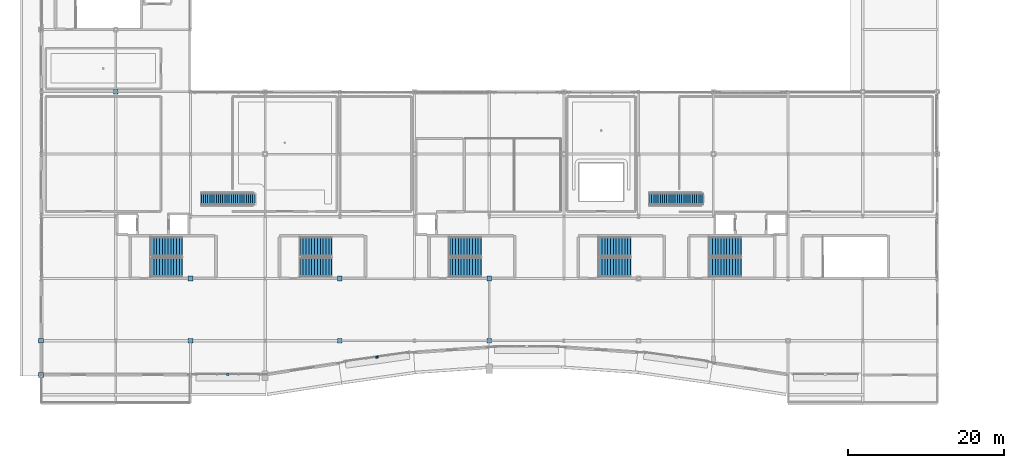
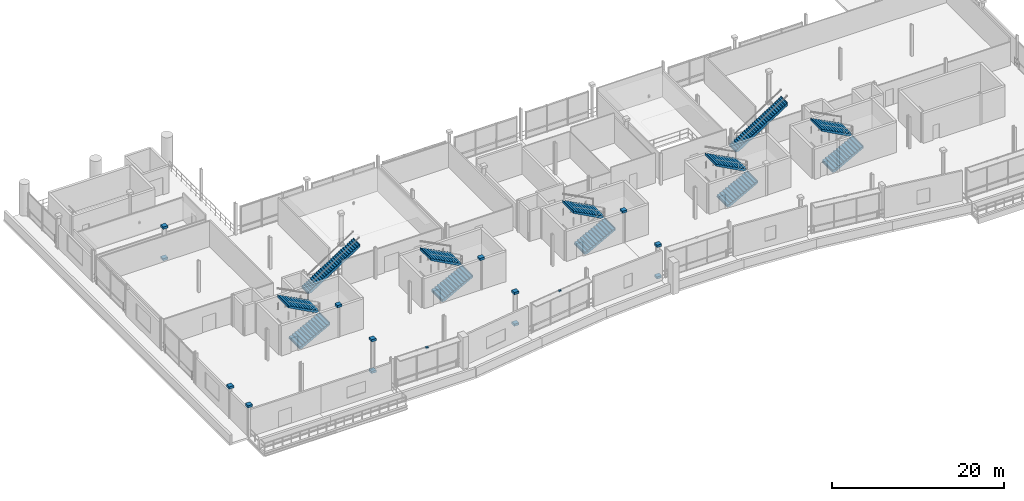
# One storey, part 42 of 59: 15 discrete accessories, 12 stair flights, 7 elements without a shape of their own.
"""IFC4 building model written with IfcOpenShell, lengths in metres."""

from ifc_helpers import new_model, si_unit, direction, frame, origin, origin_2d, place, context, subcontext, project, spatial, polyline, rectangle, outline, extrude, material, type_object, element, aggregate, save


model = new_model("IFC4")

# Units and contexts
model_context = context("Model", 3, precision=1e-05, world=origin(), true_north=direction((0.0, 1.0)))
body_context = subcontext(model_context, "Body", "Model", "MODEL_VIEW")
ifc_project = project(units=[si_unit("LENGTHUNIT", "METRE"), si_unit("AREAUNIT", "SQUARE_METRE"), si_unit("VOLUMEUNIT", "CUBIC_METRE"), si_unit("PLANEANGLEUNIT", "RADIAN"), si_unit("MASSUNIT", "GRAM", prefix="KILO")], contexts=[model_context])

# Site, building, storey
site_placement = place(None, origin())
site = spatial("IfcSite", under=ifc_project, at=site_placement, CompositionType="ELEMENT")
building_placement = place(site_placement, origin())
building = spatial("IfcBuilding", under=site, at=building_placement, Name="Danafjord Basin Convention Centre", CompositionType="ELEMENT")
storey_placement = place(building_placement, frame((0.0, 0.0, 15.89990234375)))
storey = spatial("IfcBuildingStorey", under=building, at=storey_placement, Name="L03", CompositionType="ELEMENT", Elevation=15.89990234375)

# Stair, stair flights
ifc_material_1 = material(Name="Concrete C40/50", Category="concrete")
stair_type_1 = type_object("IfcStairType", Name="STAIR-STR-C01", PredefinedType="TWO_STRAIGHT_RUN_STAIR", material=ifc_material_1)
stair_1_placement = place(storey_placement, origin())
stair_1 = element("IfcStair", 1, at=stair_1_placement, inside=storey, type_object=stair_type_1, Name="L03 West Harbour Core Stair 1", PredefinedType="HALF_TURN_STAIR")
ifc_material_2 = material(Name="Precast concrete C40/50", Category="concrete")
stair_flight_type = type_object("IfcStairFlightType", Name="SFLT-STD", PredefinedType="STRAIGHT", material=ifc_material_2)
stair_flight_1_placement = place(storey_placement, frame((14.1298828125, 17.4599609375, 0.0), z_axis=(0.0, 0.0, 1.0), x_axis=(1.0, 0.0, 0.0)))
stair_flight_1 = element("IfcStairFlight", 2, at=stair_flight_1_placement, type_object=stair_flight_type, Name="ST-01 flight 1", NumberOfRisers=12, NumberOfTreads=11, PredefinedType="STRAIGHT", RiserHeight=0.1875, TreadLength=0.365, context=body_context, shape_type="SweptSolid", body=[
    extrude(outline(polyline([(-0.06494140625, -0.14990234375), (-0.06494140625, -0.00390625), (0.0, -0.00390625), (0.0, 0.1875), (0.364990234375, 0.1875), (0.364990234375, 0.375), (0.72998046875, 0.375), (0.72998046875, 0.5625), (1.094970703125, 0.5625), (1.094970703125, 0.75), (1.4599609375, 0.75), (1.4599609375, 0.9375), (1.824951171875, 0.9375), (1.824951171875, 1.125), (2.18994140625, 1.125), (2.18994140625, 1.3125), (2.554931640625, 1.3125), (2.554931640625, 1.5), (2.919921875, 1.5), (2.919921875, 1.6875), (3.284912109375, 1.6875), (3.284912109375, 1.875), (3.64990234375, 1.875), (3.64990234375, 2.0625), (4.014892578125, 2.0625), (4.014892578125, 2.25), (4.080078125, 2.24609375), (4.080078125, 1.89404296875), (0.328125, -0.14990234375), (-0.06494140625, -0.14990234375)])), frame((0.0, 1.25, 0.0), z_axis=(0.0, -1.0, 0.0), x_axis=(1.0, 0.0, 0.0)), (0.0, 0.0, 1.0), 2.5),
])
stair_flight_2_placement = place(storey_placement, frame((18.14501953125, 20.10009765625, 2.25), z_axis=(0.0, 0.0, 1.0), x_axis=(-1.0, 0.0, 0.0)))
stair_flight_2 = element("IfcStairFlight", 3, at=stair_flight_2_placement, type_object=stair_flight_type, Name="ST-01 flight 2", NumberOfRisers=12, NumberOfTreads=11, PredefinedType="STRAIGHT", RiserHeight=0.1875, TreadLength=0.365, context=body_context, shape_type="SweptSolid", body=[
    extrude(outline(polyline([(-0.06494140625, -0.14990234375), (-0.06494140625, -0.00390625), (0.0, -0.00390625), (0.0, 0.1875), (0.364990234375, 0.1875), (0.364990234375, 0.375), (0.72998046875, 0.375), (0.72998046875, 0.5625), (1.094970703125, 0.5625), (1.094970703125, 0.75), (1.4599609375, 0.75), (1.4599609375, 0.9375), (1.824951171875, 0.9375), (1.824951171875, 1.125), (2.18994140625, 1.125), (2.18994140625, 1.3125), (2.554931640625, 1.3125), (2.554931640625, 1.5), (2.919921875, 1.5), (2.919921875, 1.6875), (3.284912109375, 1.6875), (3.284912109375, 1.875), (3.64990234375, 1.875), (3.64990234375, 2.0625), (4.014892578125, 2.0625), (4.014892578125, 2.25), (4.080078125, 2.24609375), (4.080078125, 1.89404296875), (0.328125, -0.14990234375), (-0.06494140625, -0.14990234375)])), frame((0.0, 1.25, 0.0), z_axis=(0.0, -1.0, 0.0), x_axis=(1.0, 0.0, 0.0)), (0.0, 0.0, 1.0), 2.5),
])
aggregate(stair_1, [stair_flight_1, stair_flight_2])

stair_2_placement = place(storey_placement, origin())
stair_2 = element("IfcStair", 4, at=stair_2_placement, inside=storey, type_object=stair_type_1, Name="L03 Central Harbour Core Stair 1", PredefinedType="HALF_TURN_STAIR")
stair_flight_3_placement = place(storey_placement, frame((85.929931640625, 17.4599609375, 0.0), z_axis=(0.0, 0.0, 1.0), x_axis=(1.0, 0.0, 0.0)))
stair_flight_3 = element("IfcStairFlight", 5, at=stair_flight_3_placement, type_object=stair_flight_type, Name="ST-03 flight 1", NumberOfRisers=12, NumberOfTreads=11, PredefinedType="STRAIGHT", RiserHeight=0.1875, TreadLength=0.365, context=body_context, shape_type="SweptSolid", body=[
    extrude(outline(polyline([(-0.06494140625, -0.14990234375), (-0.06494140625, -0.00390625), (0.0, -0.00390625), (0.0, 0.1875), (0.364990234375, 0.1875), (0.364990234375, 0.375), (0.72998046875, 0.375), (0.72998046875, 0.5625), (1.094970703125, 0.5625), (1.094970703125, 0.75), (1.4599609375, 0.75), (1.4599609375, 0.9375), (1.824951171875, 0.9375), (1.824951171875, 1.125), (2.18994140625, 1.125), (2.18994140625, 1.3125), (2.554931640625, 1.3125), (2.554931640625, 1.5), (2.919921875, 1.5), (2.919921875, 1.6875), (3.284912109375, 1.6875), (3.284912109375, 1.875), (3.64990234375, 1.875), (3.64990234375, 2.0625), (4.014892578125, 2.0625), (4.014892578125, 2.25), (4.080078125, 2.24609375), (4.080078125, 1.89404296875), (0.328125, -0.14990234375), (-0.06494140625, -0.14990234375)])), frame((0.0, 1.25, 0.0), z_axis=(0.0, -1.0, 0.0), x_axis=(1.0, 0.0, 0.0)), (0.0, 0.0, 1.0), 2.5),
])
stair_flight_4_placement = place(storey_placement, frame((89.945068359375, 20.10009765625, 2.25), z_axis=(0.0, 0.0, 1.0), x_axis=(-1.0, 0.0, 0.0)))
stair_flight_4 = element("IfcStairFlight", 6, at=stair_flight_4_placement, type_object=stair_flight_type, Name="ST-03 flight 2", NumberOfRisers=12, NumberOfTreads=11, PredefinedType="STRAIGHT", RiserHeight=0.1875, TreadLength=0.365, context=body_context, shape_type="SweptSolid", body=[
    extrude(outline(polyline([(-0.06494140625, -0.14990234375), (-0.06494140625, -0.00390625), (0.0, -0.00390625), (0.0, 0.1875), (0.364990234375, 0.1875), (0.364990234375, 0.375), (0.72998046875, 0.375), (0.72998046875, 0.5625), (1.094970703125, 0.5625), (1.094970703125, 0.75), (1.4599609375, 0.75), (1.4599609375, 0.9375), (1.824951171875, 0.9375), (1.824951171875, 1.125), (2.18994140625, 1.125), (2.18994140625, 1.3125), (2.554931640625, 1.3125), (2.554931640625, 1.5), (2.919921875, 1.5), (2.919921875, 1.6875), (3.284912109375, 1.6875), (3.284912109375, 1.875), (3.64990234375, 1.875), (3.64990234375, 2.0625), (4.014892578125, 2.0625), (4.014892578125, 2.25), (4.080078125, 2.24609375), (4.080078125, 1.89404296875), (0.328125, -0.14990234375), (-0.06494140625, -0.14990234375)])), frame((0.0, 1.25, 0.0), z_axis=(0.0, -1.0, 0.0), x_axis=(1.0, 0.0, 0.0)), (0.0, 0.0, 1.0), 2.5),
])
aggregate(stair_2, [stair_flight_3, stair_flight_4])

stair_3_placement = place(storey_placement, origin())
stair_3 = element("IfcStair", 7, at=stair_3_placement, inside=storey, type_object=stair_type_1, Name="L03 Mid-Arc Meeting Core Stair 1", PredefinedType="HALF_TURN_STAIR")
stair_flight_5_placement = place(storey_placement, frame((52.530029296875, 17.4599609375, 0.0), z_axis=(0.0, 0.0, 1.0), x_axis=(1.0, 0.0, 0.0)))
stair_flight_5 = element("IfcStairFlight", 8, at=stair_flight_5_placement, type_object=stair_flight_type, Name="ST-05 flight 1", NumberOfRisers=12, NumberOfTreads=11, PredefinedType="STRAIGHT", RiserHeight=0.1875, TreadLength=0.365, context=body_context, shape_type="SweptSolid", body=[
    extrude(outline(polyline([(-0.06494140625, -0.14990234375), (-0.06494140625, -0.00390625), (0.0, -0.00390625), (0.0, 0.1875), (0.364990234375, 0.1875), (0.364990234375, 0.375), (0.72998046875, 0.375), (0.72998046875, 0.5625), (1.094970703125, 0.5625), (1.094970703125, 0.75), (1.4599609375, 0.75), (1.4599609375, 0.9375), (1.824951171875, 0.9375), (1.824951171875, 1.125), (2.18994140625, 1.125), (2.18994140625, 1.3125), (2.554931640625, 1.3125), (2.554931640625, 1.5), (2.919921875, 1.5), (2.919921875, 1.6875), (3.284912109375, 1.6875), (3.284912109375, 1.875), (3.64990234375, 1.875), (3.64990234375, 2.0625), (4.014892578125, 2.0625), (4.014892578125, 2.25), (4.080078125, 2.24609375), (4.080078125, 1.89404296875), (0.328125, -0.14990234375), (-0.06494140625, -0.14990234375)])), frame((0.0, 1.25, 0.0), z_axis=(0.0, -1.0, 0.0), x_axis=(1.0, 0.0, 0.0)), (0.0, 0.0, 1.0), 2.5),
])
stair_flight_6_placement = place(storey_placement, frame((56.544921875, 20.10009765625, 2.25), z_axis=(0.0, 0.0, 1.0), x_axis=(-1.0, 0.0, 0.0)))
stair_flight_6 = element("IfcStairFlight", 9, at=stair_flight_6_placement, type_object=stair_flight_type, Name="ST-05 flight 2", NumberOfRisers=12, NumberOfTreads=11, PredefinedType="STRAIGHT", RiserHeight=0.1875, TreadLength=0.365, context=body_context, shape_type="SweptSolid", body=[
    extrude(outline(polyline([(-0.06494140625, -0.14990234375), (-0.06494140625, -0.00390625), (0.0, -0.00390625), (0.0, 0.1875), (0.364990234375, 0.1875), (0.364990234375, 0.375), (0.72998046875, 0.375), (0.72998046875, 0.5625), (1.094970703125, 0.5625), (1.094970703125, 0.75), (1.4599609375, 0.75), (1.4599609375, 0.9375), (1.824951171875, 0.9375), (1.824951171875, 1.125), (2.18994140625, 1.125), (2.18994140625, 1.3125), (2.554931640625, 1.3125), (2.554931640625, 1.5), (2.919921875, 1.5), (2.919921875, 1.6875), (3.284912109375, 1.6875), (3.284912109375, 1.875), (3.64990234375, 1.875), (3.64990234375, 2.0625), (4.014892578125, 2.0625), (4.014892578125, 2.25), (4.080078125, 2.24609375), (4.080078125, 1.89404296875), (0.328125, -0.14990234375), (-0.06494140625, -0.14990234375)])), frame((0.0, 1.25, 0.0), z_axis=(0.0, -1.0, 0.0), x_axis=(1.0, 0.0, 0.0)), (0.0, 0.0, 1.0), 2.5),
])
aggregate(stair_3, [stair_flight_5, stair_flight_6])

stair_4_placement = place(storey_placement, origin())
stair_4 = element("IfcStair", 10, at=stair_4_placement, inside=storey, type_object=stair_type_1, Name="L03 West Harbour Escape Stair 2", PredefinedType="HALF_TURN_STAIR")
stair_flight_7_placement = place(storey_placement, frame((33.330078125, 17.4599609375, 0.0), z_axis=(0.0, 0.0, 1.0), x_axis=(1.0, 0.0, 0.0)))
stair_flight_7 = element("IfcStairFlight", 11, at=stair_flight_7_placement, type_object=stair_flight_type, Name="ST-02 flight 1", NumberOfRisers=12, NumberOfTreads=11, PredefinedType="STRAIGHT", RiserHeight=0.1875, TreadLength=0.365, context=body_context, shape_type="SweptSolid", body=[
    extrude(outline(polyline([(-0.06494140625, -0.14990234375), (-0.06494140625, -0.00390625), (0.0, -0.00390625), (0.0, 0.1875), (0.364990234375, 0.1875), (0.364990234375, 0.375), (0.72998046875, 0.375), (0.72998046875, 0.5625), (1.094970703125, 0.5625), (1.094970703125, 0.75), (1.4599609375, 0.75), (1.4599609375, 0.9375), (1.824951171875, 0.9375), (1.824951171875, 1.125), (2.18994140625, 1.125), (2.18994140625, 1.3125), (2.554931640625, 1.3125), (2.554931640625, 1.5), (2.919921875, 1.5), (2.919921875, 1.6875), (3.284912109375, 1.6875), (3.284912109375, 1.875), (3.64990234375, 1.875), (3.64990234375, 2.0625), (4.014892578125, 2.0625), (4.014892578125, 2.25), (4.080078125, 2.24609375), (4.080078125, 1.89404296875), (0.328125, -0.14990234375), (-0.06494140625, -0.14990234375)])), frame((0.0, 1.25, 0.0), z_axis=(0.0, -1.0, 0.0), x_axis=(1.0, 0.0, 0.0)), (0.0, 0.0, 1.0), 2.5),
])
stair_flight_8_placement = place(storey_placement, frame((37.344970703125, 20.10009765625, 2.25), z_axis=(0.0, 0.0, 1.0), x_axis=(-1.0, 0.0, 0.0)))
stair_flight_8 = element("IfcStairFlight", 12, at=stair_flight_8_placement, type_object=stair_flight_type, Name="ST-02 flight 2", NumberOfRisers=12, NumberOfTreads=11, PredefinedType="STRAIGHT", RiserHeight=0.1875, TreadLength=0.365, context=body_context, shape_type="SweptSolid", body=[
    extrude(outline(polyline([(-0.06494140625, -0.14990234375), (-0.06494140625, -0.00390625), (0.0, -0.00390625), (0.0, 0.1875), (0.364990234375, 0.1875), (0.364990234375, 0.375), (0.72998046875, 0.375), (0.72998046875, 0.5625), (1.094970703125, 0.5625), (1.094970703125, 0.75), (1.4599609375, 0.75), (1.4599609375, 0.9375), (1.824951171875, 0.9375), (1.824951171875, 1.125), (2.18994140625, 1.125), (2.18994140625, 1.3125), (2.554931640625, 1.3125), (2.554931640625, 1.5), (2.919921875, 1.5), (2.919921875, 1.6875), (3.284912109375, 1.6875), (3.284912109375, 1.875), (3.64990234375, 1.875), (3.64990234375, 2.0625), (4.014892578125, 2.0625), (4.014892578125, 2.25), (4.080078125, 2.24609375), (4.080078125, 1.89404296875), (0.328125, -0.14990234375), (-0.06494140625, -0.14990234375)])), frame((0.0, 1.25, 0.0), z_axis=(0.0, -1.0, 0.0), x_axis=(1.0, 0.0, 0.0)), (0.0, 0.0, 1.0), 2.5),
])
aggregate(stair_4, [stair_flight_7, stair_flight_8])

stair_5_placement = place(storey_placement, origin())
stair_5 = element("IfcStair", 13, at=stair_5_placement, inside=storey, type_object=stair_type_1, Name="L03 Mid-Arc Escape Stair 2", PredefinedType="HALF_TURN_STAIR")
stair_flight_9_placement = place(storey_placement, frame((71.72998046875, 17.4599609375, 0.0), z_axis=(0.0, 0.0, 1.0), x_axis=(1.0, 0.0, 0.0)))
stair_flight_9 = element("IfcStairFlight", 14, at=stair_flight_9_placement, type_object=stair_flight_type, Name="ST-06 flight 1", NumberOfRisers=12, NumberOfTreads=11, PredefinedType="STRAIGHT", RiserHeight=0.1875, TreadLength=0.365, context=body_context, shape_type="SweptSolid", body=[
    extrude(outline(polyline([(-0.06494140625, -0.14990234375), (-0.06494140625, -0.00390625), (0.0, -0.00390625), (0.0, 0.1875), (0.364990234375, 0.1875), (0.364990234375, 0.375), (0.72998046875, 0.375), (0.72998046875, 0.5625), (1.094970703125, 0.5625), (1.094970703125, 0.75), (1.4599609375, 0.75), (1.4599609375, 0.9375), (1.824951171875, 0.9375), (1.824951171875, 1.125), (2.18994140625, 1.125), (2.18994140625, 1.3125), (2.554931640625, 1.3125), (2.554931640625, 1.5), (2.919921875, 1.5), (2.919921875, 1.6875), (3.284912109375, 1.6875), (3.284912109375, 1.875), (3.64990234375, 1.875), (3.64990234375, 2.0625), (4.014892578125, 2.0625), (4.014892578125, 2.25), (4.080078125, 2.24609375), (4.080078125, 1.89404296875), (0.328125, -0.14990234375), (-0.06494140625, -0.14990234375)])), frame((0.0, 1.25, 0.0), z_axis=(0.0, -1.0, 0.0), x_axis=(1.0, 0.0, 0.0)), (0.0, 0.0, 1.0), 2.5),
])
stair_flight_10_placement = place(storey_placement, frame((75.7451171875, 20.10009765625, 2.25), z_axis=(0.0, 0.0, 1.0), x_axis=(-1.0, 0.0, 0.0)))
stair_flight_10 = element("IfcStairFlight", 15, at=stair_flight_10_placement, type_object=stair_flight_type, Name="ST-06 flight 2", NumberOfRisers=12, NumberOfTreads=11, PredefinedType="STRAIGHT", RiserHeight=0.1875, TreadLength=0.365, context=body_context, shape_type="SweptSolid", body=[
    extrude(outline(polyline([(-0.06494140625, -0.14990234375), (-0.06494140625, -0.00390625), (0.0, -0.00390625), (0.0, 0.1875), (0.364990234375, 0.1875), (0.364990234375, 0.375), (0.72998046875, 0.375), (0.72998046875, 0.5625), (1.094970703125, 0.5625), (1.094970703125, 0.75), (1.4599609375, 0.75), (1.4599609375, 0.9375), (1.824951171875, 0.9375), (1.824951171875, 1.125), (2.18994140625, 1.125), (2.18994140625, 1.3125), (2.554931640625, 1.3125), (2.554931640625, 1.5), (2.919921875, 1.5), (2.919921875, 1.6875), (3.284912109375, 1.6875), (3.284912109375, 1.875), (3.64990234375, 1.875), (3.64990234375, 2.0625), (4.014892578125, 2.0625), (4.014892578125, 2.25), (4.080078125, 2.24609375), (4.080078125, 1.89404296875), (0.328125, -0.14990234375), (-0.06494140625, -0.14990234375)])), frame((0.0, 1.25, 0.0), z_axis=(0.0, -1.0, 0.0), x_axis=(1.0, 0.0, 0.0)), (0.0, 0.0, 1.0), 2.5),
])
aggregate(stair_5, [stair_flight_9, stair_flight_10])

# Stair, stair flight
stair_type_2 = type_object("IfcStairType", Name="STAIR-STR-F01", PredefinedType="STRAIGHT_RUN_STAIR", material=ifc_material_1)
stair_6_placement = place(storey_placement, origin())
stair_6 = element("IfcStair", 16, at=stair_6_placement, inside=storey, type_object=stair_type_2, Name="Step-1 to Step-2 West Garden Stair", PredefinedType="STRAIGHT_RUN_STAIR")
stair_flight_11_placement = place(storey_placement, frame((20.60009765625, 26.199951171875, 0.0), z_axis=(0.0, 0.0, 1.0), x_axis=(1.0, 0.0, 0.0)))
stair_flight_11 = element("IfcStairFlight", 17, at=stair_flight_11_placement, type_object=stair_flight_type, Name="Step-1 to Step-2 West Garden Stair flight", NumberOfRisers=26, NumberOfTreads=25, PredefinedType="STRAIGHT", RiserHeight=0.173077, TreadLength=0.275, context=body_context, shape_type="SweptSolid", body=[
    extrude(outline(polyline([(-0.06494140625, -0.159912109375), (-0.06494140625, -0.00390625), (0.0, -0.00390625), (0.0, 0.173095703125), (0.27490234375, 0.173095703125), (0.27490234375, 0.34619140625), (0.550048828125, 0.34619140625), (0.550048828125, 0.519287109375), (0.824951171875, 0.519287109375), (0.824951171875, 0.6923828125), (1.10009765625, 0.6923828125), (1.10009765625, 0.865478515625), (1.375, 0.865478515625), (1.375, 1.03857421875), (1.64990234375, 1.03857421875), (1.64990234375, 1.21142578125), (1.925048828125, 1.21142578125), (1.925048828125, 1.384521484375), (2.199951171875, 1.384521484375), (2.199951171875, 1.5576171875), (2.47509765625, 1.5576171875), (2.47509765625, 1.730712890625), (2.75, 1.730712890625), (2.75, 1.90380859375), (3.02490234375, 1.90380859375), (3.02490234375, 2.076904296875), (3.300048828125, 2.076904296875), (3.300048828125, 2.25), (3.574951171875, 2.25), (3.574951171875, 2.423095703125), (3.85009765625, 2.423095703125), (3.85009765625, 2.59619140625), (4.125, 2.59619140625), (4.125, 2.769287109375), (4.39990234375, 2.769287109375), (4.39990234375, 2.9423828125), (4.675048828125, 2.9423828125), (4.675048828125, 3.115478515625), (4.949951171875, 3.115478515625), (4.949951171875, 3.28857421875), (5.22509765625, 3.28857421875), (5.22509765625, 3.46142578125), (5.5, 3.46142578125), (5.5, 3.634521484375), (5.77490234375, 3.634521484375), (5.77490234375, 3.8076171875), (6.050048828125, 3.8076171875), (6.050048828125, 3.980712890625), (6.324951171875, 3.980712890625), (6.324951171875, 4.15380859375), (6.60009765625, 4.15380859375), (6.60009765625, 4.326904296875), (6.875, 4.326904296875), (6.875, 4.5), (6.93994140625, 4.49609375), (6.93994140625, 4.06689453125), (0.4130859375, -0.159912109375), (-0.06494140625, -0.159912109375)])), frame((0.0, 0.75, 0.0), z_axis=(0.0, -1.0, 0.0), x_axis=(1.0, 0.0, 0.0)), (0.0, 0.0, 1.0), 1.5),
])
aggregate(stair_6, [stair_flight_11])

stair_7_placement = place(storey_placement, origin())
stair_7 = element("IfcStair", 18, at=stair_7_placement, inside=storey, type_object=stair_type_2, Name="Step-1 to Step-2 East Garden Stair", PredefinedType="STRAIGHT_RUN_STAIR")
stair_flight_12_placement = place(storey_placement, frame((78.199951171875, 26.199951171875, 0.0), z_axis=(0.0, 0.0, 1.0), x_axis=(1.0, 0.0, 0.0)))
stair_flight_12 = element("IfcStairFlight", 19, at=stair_flight_12_placement, type_object=stair_flight_type, Name="Step-1 to Step-2 East Garden Stair flight", NumberOfRisers=26, NumberOfTreads=25, PredefinedType="STRAIGHT", RiserHeight=0.173077, TreadLength=0.275, context=body_context, shape_type="SweptSolid", body=[
    extrude(outline(polyline([(-0.06494140625, -0.159912109375), (-0.06494140625, -0.00390625), (0.0, -0.00390625), (0.0, 0.173095703125), (0.27490234375, 0.173095703125), (0.27490234375, 0.34619140625), (0.550048828125, 0.34619140625), (0.550048828125, 0.519287109375), (0.824951171875, 0.519287109375), (0.824951171875, 0.6923828125), (1.10009765625, 0.6923828125), (1.10009765625, 0.865478515625), (1.375, 0.865478515625), (1.375, 1.03857421875), (1.64990234375, 1.03857421875), (1.64990234375, 1.21142578125), (1.925048828125, 1.21142578125), (1.925048828125, 1.384521484375), (2.199951171875, 1.384521484375), (2.199951171875, 1.5576171875), (2.47509765625, 1.5576171875), (2.47509765625, 1.730712890625), (2.75, 1.730712890625), (2.75, 1.90380859375), (3.02490234375, 1.90380859375), (3.02490234375, 2.076904296875), (3.300048828125, 2.076904296875), (3.300048828125, 2.25), (3.574951171875, 2.25), (3.574951171875, 2.423095703125), (3.85009765625, 2.423095703125), (3.85009765625, 2.59619140625), (4.125, 2.59619140625), (4.125, 2.769287109375), (4.39990234375, 2.769287109375), (4.39990234375, 2.9423828125), (4.675048828125, 2.9423828125), (4.675048828125, 3.115478515625), (4.949951171875, 3.115478515625), (4.949951171875, 3.28857421875), (5.22509765625, 3.28857421875), (5.22509765625, 3.46142578125), (5.5, 3.46142578125), (5.5, 3.634521484375), (5.77490234375, 3.634521484375), (5.77490234375, 3.8076171875), (6.050048828125, 3.8076171875), (6.050048828125, 3.980712890625), (6.324951171875, 3.980712890625), (6.324951171875, 4.15380859375), (6.60009765625, 4.15380859375), (6.60009765625, 4.326904296875), (6.875, 4.326904296875), (6.875, 4.5), (6.93994140625, 4.49609375), (6.93994140625, 4.06689453125), (0.4130859375, -0.159912109375), (-0.06494140625, -0.159912109375)])), frame((0.0, 0.75, 0.0), z_axis=(0.0, -1.0, 0.0), x_axis=(1.0, 0.0, 0.0)), (0.0, 0.0, 1.0), 1.5),
])
aggregate(stair_7, [stair_flight_12])

# Discrete accessories
ifc_material_3 = material(Name="Stainless steel EN 1.4404", Category="steel")
discrete_accessory_type_1 = type_object("IfcDiscreteAccessoryType", Name="ACC-FIN-BRK", PredefinedType="BRACKET", material=ifc_material_3)
for number, where, z_axis, x_axis, name in (
    (20, (24.0, 3.669921875, 4.10400390625), (0.0, 0.0, 1.0), (1.0, 0.0, 0.0), "Sunshade tie-back bracket"),
    (21, (43.1806640625, 5.90966796875, 4.10400390625), (0.0, 0.0, 1.0), (0.990128157327, 0.140165017276, 0.0), "Sunshade tie-back bracket"),
):
    element("IfcDiscreteAccessory", number, at=place(storey_placement, frame(where, z_axis=z_axis, x_axis=x_axis)), inside=storey, type_object=discrete_accessory_type_1, Name=name, PredefinedType="BRACKET", context=body_context, shape_type="SweptSolid", body=[
        extrude(rectangle(XDim=0.340087890625, YDim=0.260009765625, at=origin_2d()), origin(), (0.0, 0.0, 1.0), 0.219970703125),
    ])
ifc_material_4 = material(Name="Steel S355", Category="steel")
discrete_accessory_type_2 = type_object("IfcDiscreteAccessoryType", Name="ACC-SF-HUB", PredefinedType="BRACKET", material=ifc_material_4)
for number, where, z_axis, x_axis, name in (
    (22, (0.0, 8.0, 4.33984375), (0.0, 0.0, 1.0), (1.0, 0.0, 0.0), "Tubular steel column top cap plate"),
    (23, (9.60009765625, 40.0, -0.16015625), (0.0, 0.0, 1.0), (1.0, 0.0, 0.0), "Tubular steel column transition collar"),
    (24, (9.60009765625, 40.0, 4.33984375), (0.0, 0.0, 1.0), (1.0, 0.0, 0.0), "Tubular steel column top cap plate"),
    (25, (19.199951171875, 8.0, -0.16015625), (0.0, 0.0, 1.0), (1.0, 0.0, 0.0), "Tubular steel column transition collar"),
    (26, (19.199951171875, 8.0, 4.33984375), (0.0, 0.0, 1.0), (1.0, 0.0, 0.0), "Tubular steel column top cap plate"),
    (27, (19.199951171875, 16.0, 4.33984375), (0.0, 0.0, 1.0), (1.0, 0.0, 0.0), "Tubular steel column top cap plate"),
    (28, (38.39990234375, 8.0, -0.16015625), (0.0, 0.0, 1.0), (1.0, 0.0, 0.0), "Tubular steel column transition collar"),
    (29, (38.39990234375, 8.0, 4.33984375), (0.0, 0.0, 1.0), (1.0, 0.0, 0.0), "Tubular steel column top cap plate"),
    (30, (38.39990234375, 16.0, 4.33984375), (0.0, 0.0, 1.0), (1.0, 0.0, 0.0), "Tubular steel column top cap plate"),
    (31, (57.60009765625, 8.0, -0.16015625), (0.0, 0.0, 1.0), (1.0, 0.0, 0.0), "Tubular steel column transition collar"),
    (32, (57.60009765625, 8.0, 4.33984375), (0.0, 0.0, 1.0), (1.0, 0.0, 0.0), "Tubular steel column top cap plate"),
    (33, (57.60009765625, 16.0, 4.33984375), (0.0, 0.0, 1.0), (1.0, 0.0, 0.0), "Tubular steel column top cap plate"),
    (34, (0.0, 3.60009765625, 4.33984375), (0.0, 0.0, 1.0), (1.0, 0.0, 0.0), "Tubular steel column top cap plate"),
):
    element("IfcDiscreteAccessory", number, at=place(storey_placement, frame(where, z_axis=z_axis, x_axis=x_axis)), inside=storey, type_object=discrete_accessory_type_2, Name=name, PredefinedType="BRACKET", context=body_context, shape_type="SweptSolid", body=[
        extrude(rectangle(XDim=0.6201171875, YDim=0.6201171875, at=origin_2d()), origin(), (0.0, 0.0, 1.0), 0.320068359375),
    ])

save(model, "model.ifc")
